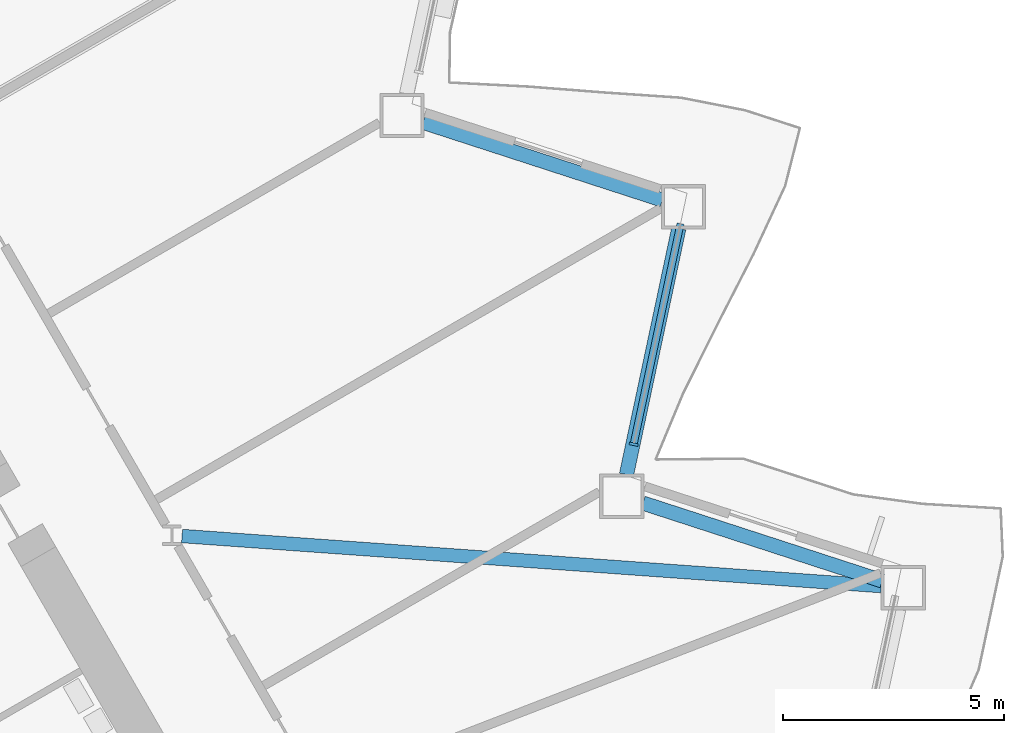
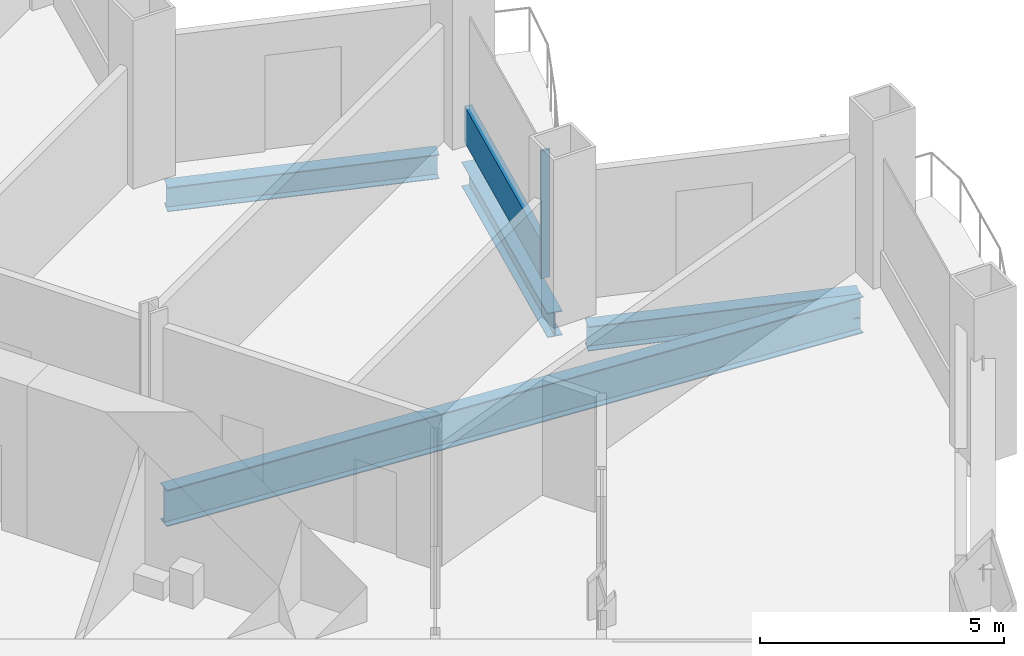
# One storey, part 5 of 21: 4 beams, 2 members, 1 element without a shape of its own.
"""IFC4 building model written with IfcOpenShell, lengths in metres."""

from ifc_helpers import new_model, si_unit, direction, frame, origin, origin_2d, place, context, subcontext, project, spatial, rectangle, i_section, extrude, material, layer, layer_set, material_profile, profile_set, type_object, element, aggregate, save


model = new_model("IFC4")

# Units and contexts
model_context = context("Model", 3, precision=1e-05, world=origin(), true_north=direction((0.0, 1.0)))
body_context = subcontext(model_context, "Body", "Model", "MODEL_VIEW")
ifc_project = project(units=[si_unit("LENGTHUNIT", "METRE"), si_unit("AREAUNIT", "SQUARE_METRE"), si_unit("VOLUMEUNIT", "CUBIC_METRE"), si_unit("PLANEANGLEUNIT", "RADIAN"), si_unit("MASSUNIT", "GRAM", prefix="KILO")], contexts=[model_context])

# Site, building, storey
site_placement = place(None, origin())
site = spatial("IfcSite", under=ifc_project, at=site_placement, CompositionType="ELEMENT")
building_placement = place(site_placement, origin())
building = spatial("IfcBuilding", under=site, at=building_placement, Name="Cormorant Prow Tower", CompositionType="ELEMENT")
storey_placement = place(building_placement, frame((0.0, 0.0, 42.60009765625)))
storey = spatial("IfcBuildingStorey", under=building, at=storey_placement, Name="L08", CompositionType="ELEMENT", Elevation=42.60009765625)

# Curtain wall, members
ifc_material_1 = material(Name="Aluminium 6063-T6", Category="aluminium")
ifc_layer = layer(ifc_material_1, 0.199951171875)
ifc_layer_set = layer_set([ifc_layer], Name="Aluminium 6063-T6")
curtain_wall_type = type_object("IfcCurtainWallType", Name="Office unitised curtain wall 200", PredefinedType="NOTDEFINED", material=ifc_layer_set)
curtain_wall_placement = place(storey_placement, origin())
curtain_wall = element("IfcCurtainWall", 1, at=curtain_wall_placement, inside=storey, type_object=curtain_wall_type, Name="Office curtain wall ENE02", PredefinedType="NOTDEFINED")
ifc_material_2 = material(Name="Aluminium 6063-T6", Category="aluminium")
ifc_material_profile_1 = material_profile(ifc_material_2, rectangle(XDim=0.199951171875, YDim=0.06005859375, at=origin_2d()), Name="Office mullion 60x200")
ifc_profile_set_1 = profile_set([ifc_material_profile_1], Name="Aluminium 6063-T6")
member_type_1 = type_object("IfcMemberType", Name="Office mullion 60x200", PredefinedType="MULLION", material=ifc_profile_set_1)
member_1_placement = place(storey_placement, frame((26.2998046875, -0.9970703125, 0.0), z_axis=(0.0, 0.0, 1.0), x_axis=(-0.978147599834, 0.207911695052, 0.0)))
member_1 = element("IfcMember", 2, at=member_1_placement, type_object=member_type_1, Name="Office mullion ENE02", PredefinedType="MULLION", context=body_context, shape_type="SweptSolid", body=[
    extrude(rectangle(XDim=0.199951171875, YDim=0.06005859375, at=origin_2d()), origin(), (0.0, 0.0, 1.0), 3.188720703125),
])
ifc_material_3 = material(Name="Terracotta", Category="masonry")
ifc_material_profile_2 = material_profile(ifc_material_3, rectangle(XDim=0.159912109375, YDim=0.89990234375, at=origin_2d()), Name="Office terracotta spandrel rail 160x900")
ifc_profile_set_2 = profile_set([ifc_material_profile_2], Name="Terracotta")
member_type_2 = type_object("IfcMemberType", Name="Office terracotta spandrel rail 160x900", PredefinedType="USERDEFINED", material=ifc_profile_set_2)
member_2_placement = place(storey_placement, frame((26.305908203125, -0.967529296875, 0.449951171875), z_axis=(0.20794178862, 0.978141202764, 0.0), x_axis=(-0.978141202764, 0.20794178862, 0.0)))
member_2 = element("IfcMember", 3, at=member_2_placement, type_object=member_type_2, Name="Office spandrel rail ENE02", ObjectType="TRANSOM", PredefinedType="USERDEFINED", context=body_context, shape_type="SweptSolid", body=[
    extrude(rectangle(XDim=0.159912109375, YDim=0.89990234375, at=origin_2d()), origin(), (0.0, 0.0, 1.0), 5.063720703125),
])
aggregate(curtain_wall, [member_1, member_2])

# Beams
ifc_material_4 = material(Name="Structural steel ASTM A992 Gr 50", Category="steel")
ifc_material_profile_3 = material_profile(ifc_material_4, i_section(OverallWidth=0.3046875, OverallDepth=0.914794921875, WebThickness=0.0166015625, FlangeThickness=0.02587890625, at=origin_2d()), Name="W36x160")
ifc_profile_set_3 = profile_set([ifc_material_profile_3], Name="Structural steel ASTM A992 Gr 50")
beam_type_1 = type_object("IfcBeamType", Name="Radial floor beam W36x160", PredefinedType="BEAM", material=ifc_profile_set_3)
beam_1_placement = place(storey_placement, frame((16.099365234375, -3.0703125, -0.857421875), z_axis=(0.997443412532, -0.071460750045, 0.0), x_axis=(0.071460750045, 0.997443412532, 0.0)))
element("IfcBeam", 4, at=beam_1_placement, inside=storey, type_object=beam_type_1, Name="Radial floor beam FB1 10 L08", PredefinedType="BEAM", context=body_context, shape_type="SweptSolid", body=[
    extrude(i_section(OverallWidth=0.3046875, OverallDepth=0.914794921875, WebThickness=0.0166015625, FlangeThickness=0.02587890625, at=origin_2d()), origin(), (0.0, 0.0, 1.0), 15.831787109375),
])
ifc_material_5 = material(Name="Structural steel ASTM A992 Gr 50", Category="steel")
ifc_material_profile_4 = material_profile(ifc_material_5, i_section(OverallWidth=0.32373046875, OverallDepth=0.611083984375, WebThickness=0.0126953125, FlangeThickness=0.01904296875, at=origin_2d()), Name="W24x104")
ifc_profile_set_4 = profile_set([ifc_material_profile_4], Name="Structural steel ASTM A992 Gr 50")
beam_type_2 = type_object("IfcBeamType", Name="Spandrel beam W24x104", PredefinedType="SPANDREL", material=ifc_profile_set_4)
beam_2_placement = place(storey_placement, frame((31.913818359375, -4.082763671875, -0.70556640625), z_axis=(-0.951049222751, 0.309039440696, 0.0), x_axis=(-0.309039440696, -0.951049222751, 0.0)))
element("IfcBeam", 5, at=beam_2_placement, inside=storey, type_object=beam_type_2, Name="Spandrel beam SB1 ENE01-ENE02 L08", PredefinedType="SPANDREL", context=body_context, shape_type="SweptSolid", body=[
    extrude(i_section(OverallWidth=0.32373046875, OverallDepth=0.611083984375, WebThickness=0.0126953125, FlangeThickness=0.01904296875, at=origin_2d()), origin(), (0.0, 0.0, 1.0), 5.682373046875),
])
beam_3_placement = place(storey_placement, frame((26.137939453125, -1.68310546875, -0.70556640625), z_axis=(0.207900376723, 0.97815000555, 0.0), x_axis=(-0.97815000555, 0.207900376723, 0.0)))
element("IfcBeam", 6, at=beam_3_placement, inside=storey, type_object=beam_type_2, Name="Spandrel beam SB1 ENE02-ENE03 L08", PredefinedType="SPANDREL", context=body_context, shape_type="SweptSolid", body=[
    extrude(i_section(OverallWidth=0.32373046875, OverallDepth=0.611083984375, WebThickness=0.0126953125, FlangeThickness=0.01904296875, at=origin_2d()), origin(), (0.0, 0.0, 1.0), 5.6826171875),
])
beam_4_placement = place(storey_placement, frame((26.94775390625, 4.518798828125, -0.70556640625), z_axis=(-0.951061849722, 0.309000579292, 0.0), x_axis=(-0.309000579292, -0.951061849722, 0.0)))
element("IfcBeam", 7, at=beam_4_placement, inside=storey, type_object=beam_type_2, Name="Spandrel beam SB1 ENE03-ENE04 L08", PredefinedType="SPANDREL", context=body_context, shape_type="SweptSolid", body=[
    extrude(i_section(OverallWidth=0.32373046875, OverallDepth=0.611083984375, WebThickness=0.0126953125, FlangeThickness=0.01904296875, at=origin_2d()), origin(), (0.0, 0.0, 1.0), 5.682373046875),
])

save(model, "model.ifc")
